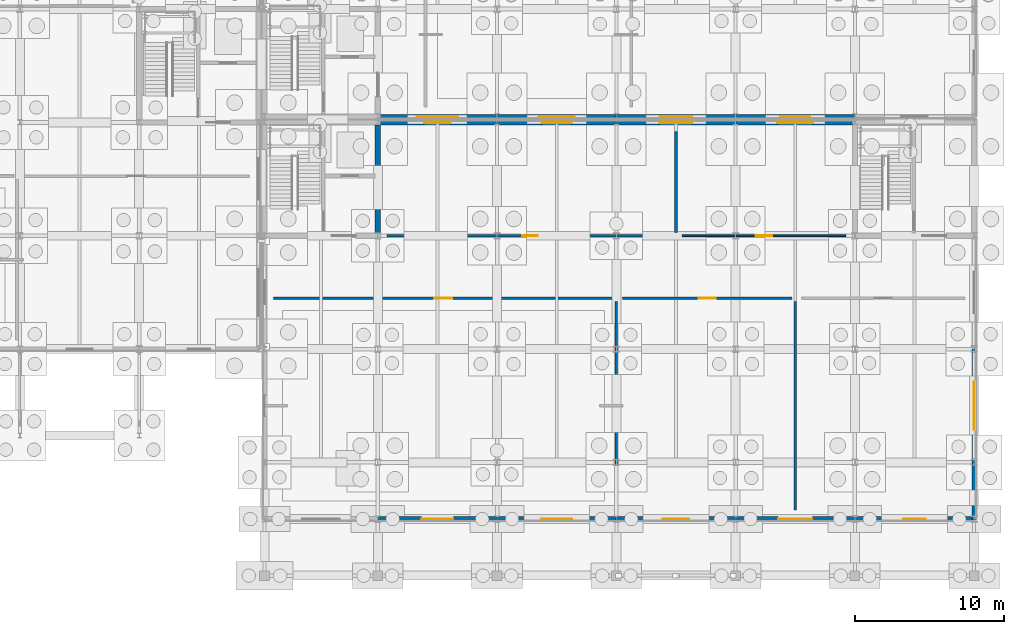
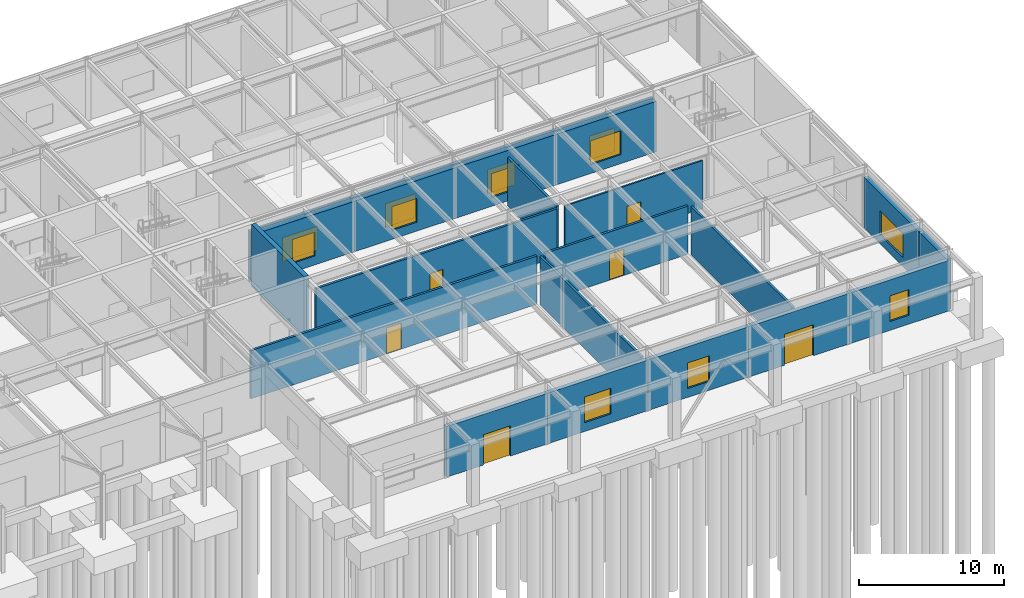
# One storey, part 47 of 62: 23 walls, 12 windows, 6 doors, 18 openings.
"""IFC4 building model written with IfcOpenShell, lengths in metres."""

from ifc_helpers import new_model, si_unit, direction, frame, frame_2d, origin, place, context, subcontext, project, spatial, rectangle, extrude, material, layer, layer_set, type_object, element, fill, save


model = new_model("IFC4")

# Units and contexts
model_context = context("Model", 3, precision=1e-05, world=origin(), true_north=direction((0.0, 1.0)))
body_context = subcontext(model_context, "Body", "Model", "MODEL_VIEW")
ifc_project = project(units=[si_unit("LENGTHUNIT", "METRE"), si_unit("AREAUNIT", "SQUARE_METRE"), si_unit("VOLUMEUNIT", "CUBIC_METRE"), si_unit("PLANEANGLEUNIT", "RADIAN"), si_unit("MASSUNIT", "GRAM", prefix="KILO")], contexts=[model_context])

# Site, building, storey
site_placement = place(None, origin())
site = spatial("IfcSite", under=ifc_project, at=site_placement, CompositionType="ELEMENT")
building_placement = place(site_placement, origin())
building = spatial("IfcBuilding", under=site, at=building_placement, Name="Zulena Civic Courthouse", CompositionType="ELEMENT")
storey_placement = place(building_placement, origin())
storey = spatial("IfcBuildingStorey", under=building, at=storey_placement, Name="L00", CompositionType="ELEMENT", Elevation=0.0)

# Wall
ifc_material_1 = material(Name="Concrete C40/50", Category="concrete")
ifc_layer_1 = layer(ifc_material_1, 0.35009765625)
ifc_layer_set_1 = layer_set([ifc_layer_1], Name="Concrete C40/50")
wall_type_1 = type_object("IfcWallType", Name="CoreShearWall_RC350", PredefinedType="SHEAR", material=ifc_layer_set_1)
wall_1_placement = place(storey_placement, frame((132.0, 22.97509765625, 0.0), z_axis=(0.0, 0.0, 1.0), x_axis=(0.0, 1.0, 0.0)))
element("IfcWall", 1, at=wall_1_placement, inside=storey, type_object=wall_type_1, Name="cwall:K1A:L00:E", PredefinedType="SHEAR", context=body_context, shape_type="SweptSolid", body=[
    extrude(rectangle(XDim=7.25, YDim=0.35009765625, at=frame_2d((3.625, 0.0))), origin(), (0.0, 0.0, 1.0), 5.18994140625),
])

# Wall, opening, window
ifc_material_2 = material(Name="Terracotta-rose architectural precast concrete C40/50", Category="masonry")
ifc_layer_2 = layer(ifc_material_2, 0.320068359375)
ifc_layer_set_2 = layer_set([ifc_layer_2], Name="Terracotta-rose architectural precast concrete C40/50")
wall_type_2 = type_object("IfcWallType", Name="ExtWall_TerraPrecast_320", PredefinedType="STANDARD", material=ifc_layer_set_2)
wall_2_placement = place(storey_placement, frame((131.97998046875, 30.39990234375, 0.0), z_axis=(0.0, 0.0, 1.0), x_axis=(1.0, 0.0, 0.0)))
wall_2 = element("IfcWall", 2, at=wall_2_placement, inside=storey, type_object=wall_type_2, Name="ewall:V1:L00:1:1", PredefinedType="STANDARD", context=body_context, shape_type="SweptSolid", body=[
    extrude(rectangle(XDim=8.0400390625, YDim=0.320068359375, at=frame_2d((4.02001953125, 0.0))), origin(), (0.0, 0.0, 1.0), 4.25),
])
opening_1_placement = place(wall_2_placement, frame((3.1201171875, 0.0, 0.75)))
opening_1 = element("IfcOpeningElement", 3, at=opening_1_placement, cuts=wall_2, Name="Opening WN03", PredefinedType="OPENING", context=body_context, shape_type="SweptSolid", body=[
    extrude(rectangle(XDim=1.800048828125, YDim=2.0, at=frame_2d((0.89990234375, 1.0))), frame((0.0, 0.169921875, 0.0), z_axis=(0.0, -1.0, 0.0), x_axis=(1.0, 0.0, 0.0)), (0.0, 0.0, 1.0), 0.340087890625),
])
ifc_material_3 = material(Name="Double-silver low-E laminated solar-control glass", Category="glass")
window_type_1 = type_object("IfcWindowType", Name="Win_1800x2000", PartitioningType="DOUBLE_PANEL_VERTICAL", PredefinedType="WINDOW", material=ifc_material_3)
window_1_placement = place(opening_1_placement, origin())
window_1 = element("IfcWindow", 4, at=window_1_placement, inside=storey, type_object=window_type_1, Name="win:V1:L00:1:1", OverallHeight=2.0, OverallWidth=1.800048828125, PartitioningType="SINGLE_PANEL", PredefinedType="WINDOW", context=body_context, shape_type="SweptSolid", body=[
    extrude(rectangle(XDim=1.800048828125, YDim=2.0, at=frame_2d((0.89990234375, 1.0))), frame((0.0, 0.030029296875, 0.0), z_axis=(0.0, -1.0, 0.0), x_axis=(1.0, 0.0, 0.0)), (0.0, 0.0, 1.0), 0.06005859375),
])
fill(opening_1, window_1)

wall_3_placement = place(storey_placement, frame((139.97998046875, 30.39990234375, 0.0), z_axis=(0.0, 0.0, 1.0), x_axis=(1.0, 0.0, 0.0)))
wall_3 = element("IfcWall", 5, at=wall_3_placement, inside=storey, type_object=wall_type_2, Name="ewall:V1:L00:1:2", PredefinedType="STANDARD", context=body_context, shape_type="SweptSolid", body=[
    extrude(rectangle(XDim=8.0400390625, YDim=0.320068359375, at=frame_2d((4.02001953125, 0.0))), origin(), (0.0, 0.0, 1.0), 4.25),
])
opening_2_placement = place(wall_3_placement, frame((3.02001953125, 0.0, 0.75)))
opening_2 = element("IfcOpeningElement", 6, at=opening_2_placement, cuts=wall_3, Name="Opening WN04", PredefinedType="OPENING", context=body_context, shape_type="SweptSolid", body=[
    extrude(rectangle(XDim=2.0, YDim=2.0, at=frame_2d((1.0, 1.0))), frame((0.0, 0.169921875, 0.0), z_axis=(0.0, -1.0, 0.0), x_axis=(1.0, 0.0, 0.0)), (0.0, 0.0, 1.0), 0.340087890625),
])
window_type_2 = type_object("IfcWindowType", Name="Win_2000x2000", PartitioningType="DOUBLE_PANEL_VERTICAL", PredefinedType="WINDOW", material=ifc_material_3)
window_2_placement = place(opening_2_placement, origin())
window_2 = element("IfcWindow", 7, at=window_2_placement, inside=storey, type_object=window_type_2, Name="win:V1:L00:1:2", OverallHeight=2.0, OverallWidth=2.0, PartitioningType="SINGLE_PANEL", PredefinedType="WINDOW", context=body_context, shape_type="SweptSolid", body=[
    extrude(rectangle(XDim=2.0, YDim=2.0, at=frame_2d((1.0, 1.0))), frame((0.0, 0.030029296875, 0.0), z_axis=(0.0, -1.0, 0.0), x_axis=(1.0, 0.0, 0.0)), (0.0, 0.0, 1.0), 0.06005859375),
])
fill(opening_2, window_2)

wall_4_placement = place(storey_placement, frame((147.97998046875, 30.39990234375, 0.0), z_axis=(0.0, 0.0, 1.0), x_axis=(1.0, 0.0, 0.0)))
wall_4 = element("IfcWall", 8, at=wall_4_placement, inside=storey, type_object=wall_type_2, Name="ewall:V1:L00:1:3", PredefinedType="STANDARD", context=body_context, shape_type="SweptSolid", body=[
    extrude(rectangle(XDim=8.0400390625, YDim=0.320068359375, at=frame_2d((4.02001953125, 0.0))), origin(), (0.0, 0.0, 1.0), 4.25),
])
opening_3_placement = place(wall_4_placement, frame((2.919921875, 0.0, 0.75)))
opening_3 = element("IfcOpeningElement", 9, at=opening_3_placement, cuts=wall_4, Name="Opening WN05", PredefinedType="OPENING", context=body_context, shape_type="SweptSolid", body=[
    extrude(rectangle(XDim=2.199951171875, YDim=2.0, at=frame_2d((1.10009765625, 1.0))), frame((0.0, 0.169921875, 0.0), z_axis=(0.0, -1.0, 0.0), x_axis=(1.0, 0.0, 0.0)), (0.0, 0.0, 1.0), 0.340087890625),
])
window_type_3 = type_object("IfcWindowType", Name="Win_2200x2000", PartitioningType="DOUBLE_PANEL_VERTICAL", PredefinedType="WINDOW", material=ifc_material_3)
window_3_placement = place(opening_3_placement, origin())
window_3 = element("IfcWindow", 10, at=window_3_placement, inside=storey, type_object=window_type_3, Name="win:V1:L00:1:3", OverallHeight=2.0, OverallWidth=2.199951171875, PartitioningType="SINGLE_PANEL", PredefinedType="WINDOW", context=body_context, shape_type="SweptSolid", body=[
    extrude(rectangle(XDim=2.199951171875, YDim=2.0, at=frame_2d((1.10009765625, 1.0))), frame((0.0, 0.030029296875, 0.0), z_axis=(0.0, -1.0, 0.0), x_axis=(1.0, 0.0, 0.0)), (0.0, 0.0, 1.0), 0.06005859375),
])
fill(opening_3, window_3)

wall_5_placement = place(storey_placement, frame((155.97998046875, 30.39990234375, 0.0), z_axis=(0.0, 0.0, 1.0), x_axis=(1.0, 0.0, 0.0)))
wall_5 = element("IfcWall", 11, at=wall_5_placement, inside=storey, type_object=wall_type_2, Name="ewall:V1:L00:1:4", PredefinedType="STANDARD", context=body_context, shape_type="SweptSolid", body=[
    extrude(rectangle(XDim=8.0400390625, YDim=0.320068359375, at=frame_2d((4.02001953125, 0.0))), origin(), (0.0, 0.0, 1.0), 4.25),
])
opening_4_placement = place(wall_5_placement, frame((2.820068359375, 0.0, 0.75)))
opening_4 = element("IfcOpeningElement", 12, at=opening_4_placement, cuts=wall_5, Name="Opening WN06", PredefinedType="OPENING", context=body_context, shape_type="SweptSolid", body=[
    extrude(rectangle(XDim=2.39990234375, YDim=2.0, at=frame_2d((1.199951171875, 1.0))), frame((0.0, 0.169921875, 0.0), z_axis=(0.0, -1.0, 0.0), x_axis=(1.0, 0.0, 0.0)), (0.0, 0.0, 1.0), 0.340087890625),
])
window_type_4 = type_object("IfcWindowType", Name="Win_2400x2000", PartitioningType="DOUBLE_PANEL_VERTICAL", PredefinedType="WINDOW", material=ifc_material_3)
window_4_placement = place(opening_4_placement, origin())
window_4 = element("IfcWindow", 13, at=window_4_placement, inside=storey, type_object=window_type_4, Name="win:V1:L00:1:4", OverallHeight=2.0, OverallWidth=2.39990234375, PartitioningType="SINGLE_PANEL", PredefinedType="WINDOW", context=body_context, shape_type="SweptSolid", body=[
    extrude(rectangle(XDim=2.39990234375, YDim=2.0, at=frame_2d((1.199951171875, 1.0))), frame((0.0, 0.030029296875, 0.0), z_axis=(0.0, -1.0, 0.0), x_axis=(1.0, 0.0, 0.0)), (0.0, 0.0, 1.0), 0.06005859375),
])
fill(opening_4, window_4)

wall_6_placement = place(storey_placement, frame((172.0, 15.219970703125, 0.0), z_axis=(0.0, 0.0, 1.0), x_axis=(0.0, -1.0, 0.0)))
wall_6 = element("IfcWall", 14, at=wall_6_placement, inside=storey, type_object=wall_type_2, Name="ewall:V1:L00:2:2", PredefinedType="STANDARD", context=body_context, shape_type="SweptSolid", body=[
    extrude(rectangle(XDim=7.639892578125, YDim=0.320068359375, at=frame_2d((3.81982421875, 0.0))), origin(), (0.0, 0.0, 1.0), 4.25),
])
opening_5_placement = place(wall_6_placement, frame((2.219970703125, 0.0, 0.75)))
opening_5 = element("IfcOpeningElement", 15, at=opening_5_placement, cuts=wall_6, Name="Opening WN08", PredefinedType="OPENING", context=body_context, shape_type="SweptSolid", body=[
    extrude(rectangle(XDim=3.199951171875, YDim=2.0, at=frame_2d((1.60009765625, 1.0))), frame((0.0, 0.169921875, 0.0), z_axis=(0.0, -1.0, 0.0), x_axis=(1.0, 0.0, 0.0)), (0.0, 0.0, 1.0), 0.340087890625),
])
window_type_5 = type_object("IfcWindowType", Name="Win_3200x2000", PartitioningType="DOUBLE_PANEL_VERTICAL", PredefinedType="WINDOW", material=ifc_material_3)
window_5_placement = place(opening_5_placement, origin())
window_5 = element("IfcWindow", 16, at=window_5_placement, inside=storey, type_object=window_type_5, Name="win:V1:L00:2:2", OverallHeight=2.0, OverallWidth=3.199951171875, PartitioningType="SINGLE_PANEL", PredefinedType="WINDOW", context=body_context, shape_type="SweptSolid", body=[
    extrude(rectangle(XDim=3.199951171875, YDim=2.0, at=frame_2d((1.60009765625, 1.0))), frame((0.0, 0.030029296875, 0.0), z_axis=(0.0, -1.0, 0.0), x_axis=(1.0, 0.0, 0.0)), (0.0, 0.0, 1.0), 0.06005859375),
])
fill(opening_5, window_5)

# Wall
wall_7_placement = place(storey_placement, frame((172.0, 7.6201171875, 0.0), z_axis=(0.0, 0.0, 1.0), x_axis=(0.0, -1.0, 0.0)))
element("IfcWall", 17, at=wall_7_placement, inside=storey, type_object=wall_type_2, Name="ewall:V1:L00:2:3", PredefinedType="STANDARD", context=body_context, shape_type="SweptSolid", body=[
    extrude(rectangle(XDim=3.840087890625, YDim=0.320068359375, at=frame_2d((1.919921875, 0.0))), origin(), (0.0, 0.0, 1.0), 4.25),
])

# Wall, opening, window
wall_8_placement = place(storey_placement, frame((172.02001953125, 3.800048828125, 0.0), z_axis=(0.0, 0.0, 1.0), x_axis=(-1.0, 0.0, 0.0)))
wall_8 = element("IfcWall", 18, at=wall_8_placement, inside=storey, type_object=wall_type_2, Name="ewall:V1:L00:3:0", PredefinedType="STANDARD", context=body_context, shape_type="SweptSolid", body=[
    extrude(rectangle(XDim=8.0400390625, YDim=0.320068359375, at=frame_2d((4.02001953125, 0.0))), origin(), (0.0, 0.0, 1.0), 4.25),
])
opening_6_placement = place(wall_8_placement, frame((3.27001953125, 0.0, 0.75)))
opening_6 = element("IfcOpeningElement", 19, at=opening_6_placement, cuts=wall_8, Name="Opening WN09", PredefinedType="OPENING", context=body_context, shape_type="SweptSolid", body=[
    extrude(rectangle(XDim=1.5, YDim=2.14990234375, at=frame_2d((0.75, 1.074951171875))), frame((0.0, 0.169921875, 0.0), z_axis=(0.0, -1.0, 0.0), x_axis=(1.0, 0.0, 0.0)), (0.0, 0.0, 1.0), 0.340087890625),
])
window_type_6 = type_object("IfcWindowType", Name="Win_1500x2150", PartitioningType="SINGLE_PANEL", PredefinedType="WINDOW", material=ifc_material_3)
window_6_placement = place(opening_6_placement, origin())
window_6 = element("IfcWindow", 20, at=window_6_placement, inside=storey, type_object=window_type_6, Name="win:V1:L00:3:0", OverallHeight=2.14990234375, OverallWidth=1.5, PartitioningType="SINGLE_PANEL", PredefinedType="WINDOW", context=body_context, shape_type="SweptSolid", body=[
    extrude(rectangle(XDim=1.5, YDim=2.14990234375, at=frame_2d((0.75, 1.074951171875))), frame((0.0, 0.030029296875, 0.0), z_axis=(0.0, -1.0, 0.0), x_axis=(1.0, 0.0, 0.0)), (0.0, 0.0, 1.0), 0.06005859375),
])
fill(opening_6, window_6)

# Wall, opening, door
wall_9_placement = place(storey_placement, frame((164.02001953125, 3.800048828125, 0.0), z_axis=(0.0, 0.0, 1.0), x_axis=(-1.0, 0.0, 0.0)))
wall_9 = element("IfcWall", 21, at=wall_9_placement, inside=storey, type_object=wall_type_2, Name="ewall:V1:L00:3:1", PredefinedType="STANDARD", context=body_context, shape_type="SweptSolid", body=[
    extrude(rectangle(XDim=8.0400390625, YDim=0.320068359375, at=frame_2d((4.02001953125, 0.0))), origin(), (0.0, 0.0, 1.0), 4.25),
])
opening_7_placement = place(wall_9_placement, frame((2.8701171875, 0.0, 0.0)))
opening_7 = element("IfcOpeningElement", 22, at=opening_7_placement, cuts=wall_9, Name="Opening ED01", PredefinedType="OPENING", context=body_context, shape_type="SweptSolid", body=[
    extrude(rectangle(XDim=2.300048828125, YDim=2.60009765625, at=frame_2d((1.14990234375, 1.300048828125))), frame((0.0, 0.169921875, 0.0), z_axis=(0.0, -1.0, 0.0), x_axis=(1.0, 0.0, 0.0)), (0.0, 0.0, 1.0), 0.340087890625),
])
ifc_material_4 = material(Name="Galvanised architectural steel ASTM A653 Grade 50", Category="steel")
door_type_1 = type_object("IfcDoorType", Name="ExtDoor_MainDouble_2300x2600", OperationType="DOUBLE_DOOR_SINGLE_SWING", PredefinedType="DOOR", material=ifc_material_4)
door_1_placement = place(opening_7_placement, origin())
door_1 = element("IfcDoor", 23, at=door_1_placement, inside=storey, type_object=door_type_1, Name="door:ext:V1:L00:3:1", OperationType="DOUBLE_DOOR_SINGLE_SWING", OverallHeight=2.60009765625, OverallWidth=2.300048828125, PredefinedType="DOOR", context=body_context, shape_type="SweptSolid", body=[
    extrude(rectangle(XDim=2.300048828125, YDim=2.60009765625, at=frame_2d((1.14990234375, 1.300048828125))), frame((0.0, 0.02490234375, 0.0), z_axis=(0.0, -1.0, 0.0), x_axis=(1.0, 0.0, 0.0)), (0.0, 0.0, 1.0), 0.050048828125),
])
fill(opening_7, door_1)

# Wall, opening, window
wall_10_placement = place(storey_placement, frame((156.02001953125, 3.800048828125, 0.0), z_axis=(0.0, 0.0, 1.0), x_axis=(-1.0, 0.0, 0.0)))
wall_10 = element("IfcWall", 24, at=wall_10_placement, inside=storey, type_object=wall_type_2, Name="ewall:V1:L00:3:2", PredefinedType="STANDARD", context=body_context, shape_type="SweptSolid", body=[
    extrude(rectangle(XDim=8.0400390625, YDim=0.320068359375, at=frame_2d((4.02001953125, 0.0))), origin(), (0.0, 0.0, 1.0), 4.25),
])
opening_8_placement = place(wall_10_placement, frame((3.14501953125, 0.0, 0.75)))
opening_8 = element("IfcOpeningElement", 25, at=opening_8_placement, cuts=wall_10, Name="Opening WN10", PredefinedType="OPENING", context=body_context, shape_type="SweptSolid", body=[
    extrude(rectangle(XDim=1.75, YDim=2.14990234375, at=frame_2d((0.875, 1.074951171875))), frame((0.0, 0.169921875, 0.0), z_axis=(0.0, -1.0, 0.0), x_axis=(1.0, 0.0, 0.0)), (0.0, 0.0, 1.0), 0.340087890625),
])
window_type_7 = type_object("IfcWindowType", Name="Win_1750x2150", PartitioningType="SINGLE_PANEL", PredefinedType="WINDOW", material=ifc_material_3)
window_7_placement = place(opening_8_placement, origin())
window_7 = element("IfcWindow", 26, at=window_7_placement, inside=storey, type_object=window_type_7, Name="win:V1:L00:3:2", OverallHeight=2.14990234375, OverallWidth=1.75, PartitioningType="SINGLE_PANEL", PredefinedType="WINDOW", context=body_context, shape_type="SweptSolid", body=[
    extrude(rectangle(XDim=1.75, YDim=2.14990234375, at=frame_2d((0.875, 1.074951171875))), frame((0.0, 0.030029296875, 0.0), z_axis=(0.0, -1.0, 0.0), x_axis=(1.0, 0.0, 0.0)), (0.0, 0.0, 1.0), 0.06005859375),
])
fill(opening_8, window_7)

wall_11_placement = place(storey_placement, frame((148.02001953125, 3.800048828125, 0.0), z_axis=(0.0, 0.0, 1.0), x_axis=(-1.0, 0.0, 0.0)))
wall_11 = element("IfcWall", 27, at=wall_11_placement, inside=storey, type_object=wall_type_2, Name="ewall:V1:L00:3:3", PredefinedType="STANDARD", context=body_context, shape_type="SweptSolid", body=[
    extrude(rectangle(XDim=8.0400390625, YDim=0.320068359375, at=frame_2d((4.02001953125, 0.0))), origin(), (0.0, 0.0, 1.0), 4.25),
])
opening_9_placement = place(wall_11_placement, frame((2.969970703125, 0.0, 0.75)))
opening_9 = element("IfcOpeningElement", 28, at=opening_9_placement, cuts=wall_11, Name="Opening WN11", PredefinedType="OPENING", context=body_context, shape_type="SweptSolid", body=[
    extrude(rectangle(XDim=2.10009765625, YDim=2.14990234375, at=frame_2d((1.050048828125, 1.074951171875))), frame((0.0, 0.169921875, 0.0), z_axis=(0.0, -1.0, 0.0), x_axis=(1.0, 0.0, 0.0)), (0.0, 0.0, 1.0), 0.340087890625),
])
window_type_8 = type_object("IfcWindowType", Name="Win_2100x2150", PartitioningType="DOUBLE_PANEL_VERTICAL", PredefinedType="WINDOW", material=ifc_material_3)
window_8_placement = place(opening_9_placement, origin())
window_8 = element("IfcWindow", 29, at=window_8_placement, inside=storey, type_object=window_type_8, Name="win:V1:L00:3:3", OverallHeight=2.14990234375, OverallWidth=2.10009765625, PartitioningType="SINGLE_PANEL", PredefinedType="WINDOW", context=body_context, shape_type="SweptSolid", body=[
    extrude(rectangle(XDim=2.10009765625, YDim=2.14990234375, at=frame_2d((1.050048828125, 1.074951171875))), frame((0.0, 0.030029296875, 0.0), z_axis=(0.0, -1.0, 0.0), x_axis=(1.0, 0.0, 0.0)), (0.0, 0.0, 1.0), 0.06005859375),
])
fill(opening_9, window_8)

# Wall, opening, door
wall_12_placement = place(storey_placement, frame((140.02001953125, 3.800048828125, 0.0), z_axis=(0.0, 0.0, 1.0), x_axis=(-1.0, 0.0, 0.0)))
wall_12 = element("IfcWall", 30, at=wall_12_placement, inside=storey, type_object=wall_type_2, Name="ewall:V1:L00:3:4", PredefinedType="STANDARD", context=body_context, shape_type="SweptSolid", body=[
    extrude(rectangle(XDim=8.0400390625, YDim=0.320068359375, at=frame_2d((4.02001953125, 0.0))), origin(), (0.0, 0.0, 1.0), 4.25),
])
opening_10_placement = place(wall_12_placement, frame((2.945068359375, 0.0, 0.0)))
opening_10 = element("IfcOpeningElement", 31, at=opening_10_placement, cuts=wall_12, Name="Opening ED02", PredefinedType="OPENING", context=body_context, shape_type="SweptSolid", body=[
    extrude(rectangle(XDim=2.14990234375, YDim=2.550048828125, at=frame_2d((1.074951171875, 1.27490234375))), frame((0.0, 0.169921875, 0.0), z_axis=(0.0, -1.0, 0.0), x_axis=(1.0, 0.0, 0.0)), (0.0, 0.0, 1.0), 0.340087890625),
])
door_type_2 = type_object("IfcDoorType", Name="ExtDoor_MainDouble_2150x2550", OperationType="DOUBLE_DOOR_SINGLE_SWING", PredefinedType="DOOR", material=ifc_material_4)
door_2_placement = place(opening_10_placement, origin())
door_2 = element("IfcDoor", 32, at=door_2_placement, inside=storey, type_object=door_type_2, Name="door:ext:V1:L00:3:4", OperationType="DOUBLE_DOOR_SINGLE_SWING", OverallHeight=2.550048828125, OverallWidth=2.14990234375, PredefinedType="DOOR", context=body_context, shape_type="SweptSolid", body=[
    extrude(rectangle(XDim=2.14990234375, YDim=2.550048828125, at=frame_2d((1.074951171875, 1.27490234375))), frame((0.0, 0.02490234375, 0.0), z_axis=(0.0, -1.0, 0.0), x_axis=(1.0, 0.0, 0.0)), (0.0, 0.0, 1.0), 0.050048828125),
])
fill(opening_10, door_2)

# Wall, opening, window
ifc_material_5 = material(Name="Travertine-cream architectural precast concrete C40/50", Category="masonry")
ifc_layer_3 = layer(ifc_material_5, 0.280029296875)
ifc_layer_set_3 = layer_set([ifc_layer_3], Name="Travertine-cream architectural precast concrete C40/50")
wall_type_3 = type_object("IfcWallType", Name="ExtWall_TravPrecast_280", PredefinedType="STANDARD", material=ifc_layer_set_3)
wall_13_placement = place(storey_placement, frame((164.02001953125, 30.800048828125, 0.0), z_axis=(0.0, 0.0, 1.0), x_axis=(-1.0, 0.0, 0.0)))
wall_13 = element("IfcWall", 33, at=wall_13_placement, inside=storey, type_object=wall_type_3, Name="ewall:V3:L00:3:1", PredefinedType="STANDARD", context=body_context, shape_type="SweptSolid", body=[
    extrude(rectangle(XDim=8.0400390625, YDim=0.280029296875, at=frame_2d((4.02001953125, 0.0))), origin(), (0.0, 0.0, 1.0), 4.25),
])
opening_11_placement = place(wall_13_placement, frame((3.02001953125, 0.0, 0.75)))
opening_11 = element("IfcOpeningElement", 34, at=opening_11_placement, cuts=wall_13, Name="Opening WN04", PredefinedType="OPENING", context=body_context, shape_type="SweptSolid", body=[
    extrude(rectangle(XDim=2.0, YDim=2.0, at=frame_2d((1.0, 1.0))), frame((0.0, 0.14990234375, 0.0), z_axis=(0.0, -1.0, 0.0), x_axis=(1.0, 0.0, 0.0)), (0.0, 0.0, 1.0), 0.300048828125),
])
window_9_placement = place(opening_11_placement, origin())
window_9 = element("IfcWindow", 35, at=window_9_placement, inside=storey, type_object=window_type_2, Name="win:V3:L00:3:1", OverallHeight=2.0, OverallWidth=2.0, PartitioningType="SINGLE_PANEL", PredefinedType="WINDOW", context=body_context, shape_type="SweptSolid", body=[
    extrude(rectangle(XDim=2.0, YDim=2.0, at=frame_2d((1.0, 1.0))), frame((0.0, 0.030029296875, 0.0), z_axis=(0.0, -1.0, 0.0), x_axis=(1.0, 0.0, 0.0)), (0.0, 0.0, 1.0), 0.06005859375),
])
fill(opening_11, window_9)

wall_14_placement = place(storey_placement, frame((156.02001953125, 30.800048828125, 0.0), z_axis=(0.0, 0.0, 1.0), x_axis=(-1.0, 0.0, 0.0)))
wall_14 = element("IfcWall", 36, at=wall_14_placement, inside=storey, type_object=wall_type_3, Name="ewall:V3:L00:3:2", PredefinedType="STANDARD", context=body_context, shape_type="SweptSolid", body=[
    extrude(rectangle(XDim=8.0400390625, YDim=0.280029296875, at=frame_2d((4.02001953125, 0.0))), origin(), (0.0, 0.0, 1.0), 4.25),
])
opening_12_placement = place(wall_14_placement, frame((2.919921875, 0.0, 0.75)))
opening_12 = element("IfcOpeningElement", 37, at=opening_12_placement, cuts=wall_14, Name="Opening WN05", PredefinedType="OPENING", context=body_context, shape_type="SweptSolid", body=[
    extrude(rectangle(XDim=2.199951171875, YDim=2.0, at=frame_2d((1.10009765625, 1.0))), frame((0.0, 0.14990234375, 0.0), z_axis=(0.0, -1.0, 0.0), x_axis=(1.0, 0.0, 0.0)), (0.0, 0.0, 1.0), 0.300048828125),
])
window_10_placement = place(opening_12_placement, origin())
window_10 = element("IfcWindow", 38, at=window_10_placement, inside=storey, type_object=window_type_3, Name="win:V3:L00:3:2", OverallHeight=2.0, OverallWidth=2.199951171875, PartitioningType="SINGLE_PANEL", PredefinedType="WINDOW", context=body_context, shape_type="SweptSolid", body=[
    extrude(rectangle(XDim=2.199951171875, YDim=2.0, at=frame_2d((1.10009765625, 1.0))), frame((0.0, 0.030029296875, 0.0), z_axis=(0.0, -1.0, 0.0), x_axis=(1.0, 0.0, 0.0)), (0.0, 0.0, 1.0), 0.06005859375),
])
fill(opening_12, window_10)

wall_15_placement = place(storey_placement, frame((148.02001953125, 30.800048828125, 0.0), z_axis=(0.0, 0.0, 1.0), x_axis=(-1.0, 0.0, 0.0)))
wall_15 = element("IfcWall", 39, at=wall_15_placement, inside=storey, type_object=wall_type_3, Name="ewall:V3:L00:3:3", PredefinedType="STANDARD", context=body_context, shape_type="SweptSolid", body=[
    extrude(rectangle(XDim=8.0400390625, YDim=0.280029296875, at=frame_2d((4.02001953125, 0.0))), origin(), (0.0, 0.0, 1.0), 4.25),
])
opening_13_placement = place(wall_15_placement, frame((2.820068359375, 0.0, 0.75)))
opening_13 = element("IfcOpeningElement", 40, at=opening_13_placement, cuts=wall_15, Name="Opening WN06", PredefinedType="OPENING", context=body_context, shape_type="SweptSolid", body=[
    extrude(rectangle(XDim=2.39990234375, YDim=2.0, at=frame_2d((1.199951171875, 1.0))), frame((0.0, 0.14990234375, 0.0), z_axis=(0.0, -1.0, 0.0), x_axis=(1.0, 0.0, 0.0)), (0.0, 0.0, 1.0), 0.300048828125),
])
window_11_placement = place(opening_13_placement, origin())
window_11 = element("IfcWindow", 41, at=window_11_placement, inside=storey, type_object=window_type_4, Name="win:V3:L00:3:3", OverallHeight=2.0, OverallWidth=2.39990234375, PartitioningType="SINGLE_PANEL", PredefinedType="WINDOW", context=body_context, shape_type="SweptSolid", body=[
    extrude(rectangle(XDim=2.39990234375, YDim=2.0, at=frame_2d((1.199951171875, 1.0))), frame((0.0, 0.030029296875, 0.0), z_axis=(0.0, -1.0, 0.0), x_axis=(1.0, 0.0, 0.0)), (0.0, 0.0, 1.0), 0.06005859375),
])
fill(opening_13, window_11)

wall_16_placement = place(storey_placement, frame((140.02001953125, 30.800048828125, 0.0), z_axis=(0.0, 0.0, 1.0), x_axis=(-1.0, 0.0, 0.0)))
wall_16 = element("IfcWall", 42, at=wall_16_placement, inside=storey, type_object=wall_type_3, Name="ewall:V3:L00:3:4", PredefinedType="STANDARD", context=body_context, shape_type="SweptSolid", body=[
    extrude(rectangle(XDim=8.0400390625, YDim=0.280029296875, at=frame_2d((4.02001953125, 0.0))), origin(), (0.0, 0.0, 1.0), 4.25),
])
opening_14_placement = place(wall_16_placement, frame((2.6201171875, 0.0, 0.75)))
opening_14 = element("IfcOpeningElement", 43, at=opening_14_placement, cuts=wall_16, Name="Opening WN07", PredefinedType="OPENING", context=body_context, shape_type="SweptSolid", body=[
    extrude(rectangle(XDim=2.800048828125, YDim=2.0, at=frame_2d((1.39990234375, 1.0))), frame((0.0, 0.14990234375, 0.0), z_axis=(0.0, -1.0, 0.0), x_axis=(1.0, 0.0, 0.0)), (0.0, 0.0, 1.0), 0.300048828125),
])
window_type_9 = type_object("IfcWindowType", Name="Win_2800x2000", PartitioningType="DOUBLE_PANEL_VERTICAL", PredefinedType="WINDOW", material=ifc_material_3)
window_12_placement = place(opening_14_placement, origin())
window_12 = element("IfcWindow", 44, at=window_12_placement, inside=storey, type_object=window_type_9, Name="win:V3:L00:3:4", OverallHeight=2.0, OverallWidth=2.800048828125, PartitioningType="SINGLE_PANEL", PredefinedType="WINDOW", context=body_context, shape_type="SweptSolid", body=[
    extrude(rectangle(XDim=2.800048828125, YDim=2.0, at=frame_2d((1.39990234375, 1.0))), frame((0.0, 0.030029296875, 0.0), z_axis=(0.0, -1.0, 0.0), x_axis=(1.0, 0.0, 0.0)), (0.0, 0.0, 1.0), 0.06005859375),
])
fill(opening_14, window_12)

# Wall, opening, door
ifc_material_6 = material(Name="Acoustic fire-rated gypsum board assembly", Category="masonry")
ifc_layer_4 = layer(ifc_material_6, 0.177978515625)
ifc_layer_set_4 = layer_set([ifc_layer_4], Name="Acoustic fire-rated gypsum board assembly")
wall_type_4 = type_object("IfcWallType", Name="PartWall_Corridor_178", PredefinedType="PARTITIONING", material=ifc_layer_set_4)
wall_17_placement = place(storey_placement, frame((125.02001953125, 18.60009765625, 0.0), z_axis=(0.0, 0.0, 1.0), x_axis=(1.0, 0.0, 0.0)))
wall_17 = element("IfcWall", 45, at=wall_17_placement, inside=storey, type_object=wall_type_4, Name="pwall:L00:209:0", PredefinedType="PARTITIONING", context=body_context, shape_type="SweptSolid", body=[
    extrude(rectangle(XDim=22.760009765625, YDim=0.177978515625, at=frame_2d((11.3798828125, 0.0))), origin(), (0.0, 0.0, 1.0), 4.050048828125),
])
opening_15_placement = place(wall_17_placement, frame((10.780029296875, 0.0, 0.0)))
opening_15 = element("IfcOpeningElement", 46, at=opening_15_placement, cuts=wall_17, Name="Opening ID07", PredefinedType="OPENING", context=body_context, shape_type="SweptSolid", body=[
    extrude(rectangle(XDim=1.199951171875, YDim=2.199951171875, at=frame_2d((0.60009765625, 1.10009765625))), frame((0.0, 0.098876953125, 0.0), z_axis=(0.0, -1.0, 0.0), x_axis=(1.0, 0.0, 0.0)), (0.0, 0.0, 1.0), 0.197998046875),
])
ifc_material_7 = material(Name="Fire-rated galvanised steel ASTM A653 Grade 50", Category="steel")
door_type_3 = type_object("IfcDoorType", Name="IntDoor_Stair_1200x2200", OperationType="NOTDEFINED", PredefinedType="DOOR", material=ifc_material_7)
door_3_placement = place(opening_15_placement, origin())
door_3 = element("IfcDoor", 47, at=door_3_placement, inside=storey, type_object=door_type_3, Name="door:rm:L00:209", OperationType="SINGLE_SWING_LEFT", OverallHeight=2.199951171875, OverallWidth=1.199951171875, PredefinedType="DOOR", context=body_context, shape_type="SweptSolid", body=[
    extrude(rectangle(XDim=1.199951171875, YDim=2.199951171875, at=frame_2d((0.60009765625, 1.10009765625))), frame((0.0, 0.02490234375, 0.0), z_axis=(0.0, -1.0, 0.0), x_axis=(1.0, 0.0, 0.0)), (0.0, 0.0, 1.0), 0.050048828125),
])
fill(opening_15, door_3)

# Wall
wall_18_placement = place(storey_placement, frame((148.0, 4.419921875, 0.0), z_axis=(0.0, 0.0, 1.0), x_axis=(0.0, 1.0, 0.0)))
element("IfcWall", 48, at=wall_18_placement, inside=storey, type_object=wall_type_4, Name="pwall:L00:209:1", PredefinedType="PARTITIONING", context=body_context, shape_type="SweptSolid", body=[
    extrude(rectangle(XDim=13.9599609375, YDim=0.177978515625, at=frame_2d((6.97998046875, 0.0))), origin(), (0.0, 0.0, 1.0), 4.050048828125),
])

# Wall, opening, door
wall_19_placement = place(storey_placement, frame((148.419921875, 18.60009765625, 0.0), z_axis=(0.0, 0.0, 1.0), x_axis=(1.0, 0.0, 0.0)))
wall_19 = element("IfcWall", 49, at=wall_19_placement, inside=storey, type_object=wall_type_4, Name="pwall:L00:210:0", PredefinedType="PARTITIONING", context=body_context, shape_type="SweptSolid", body=[
    extrude(rectangle(XDim=11.360107421875, YDim=0.177978515625, at=frame_2d((5.68017578125, 0.0))), origin(), (0.0, 0.0, 1.0), 4.050048828125),
])
opening_16_placement = place(wall_19_placement, frame((5.10498046875, 0.0, 0.0)))
opening_16 = element("IfcOpeningElement", 50, at=opening_16_placement, cuts=wall_19, Name="Opening ID08", PredefinedType="OPENING", context=body_context, shape_type="SweptSolid", body=[
    extrude(rectangle(XDim=1.14990234375, YDim=2.199951171875, at=frame_2d((0.574951171875, 1.10009765625))), frame((0.0, 0.098876953125, 0.0), z_axis=(0.0, -1.0, 0.0), x_axis=(1.0, 0.0, 0.0)), (0.0, 0.0, 1.0), 0.197998046875),
])
door_type_4 = type_object("IfcDoorType", Name="IntDoor_Stair_1150x2200", OperationType="NOTDEFINED", PredefinedType="DOOR", material=ifc_material_7)
door_4_placement = place(opening_16_placement, origin())
door_4 = element("IfcDoor", 51, at=door_4_placement, inside=storey, type_object=door_type_4, Name="door:rm:L00:210", OperationType="SINGLE_SWING_RIGHT", OverallHeight=2.199951171875, OverallWidth=1.14990234375, PredefinedType="DOOR", context=body_context, shape_type="SweptSolid", body=[
    extrude(rectangle(XDim=1.14990234375, YDim=2.199951171875, at=frame_2d((0.574951171875, 1.10009765625))), frame((0.0, 0.02490234375, 0.0), z_axis=(0.0, -1.0, 0.0), x_axis=(1.0, 0.0, 0.0)), (0.0, 0.0, 1.0), 0.050048828125),
])
fill(opening_16, door_4)

# Wall
wall_20_placement = place(storey_placement, frame((160.0, 4.419921875, 0.0), z_axis=(0.0, 0.0, 1.0), x_axis=(0.0, 1.0, 0.0)))
element("IfcWall", 52, at=wall_20_placement, inside=storey, type_object=wall_type_4, Name="pwall:L00:210:1", PredefinedType="PARTITIONING", context=body_context, shape_type="SweptSolid", body=[
    extrude(rectangle(XDim=13.9599609375, YDim=0.177978515625, at=frame_2d((6.97998046875, 0.0))), origin(), (0.0, 0.0, 1.0), 4.050048828125),
])

# Wall, opening, door
wall_21_placement = place(storey_placement, frame((132.6201171875, 22.800048828125, 0.0), z_axis=(0.0, 0.0, 1.0), x_axis=(1.0, 0.0, 0.0)))
wall_21 = element("IfcWall", 53, at=wall_21_placement, inside=storey, type_object=wall_type_4, Name="pwall:L00:212:0", PredefinedType="PARTITIONING", context=body_context, shape_type="SweptSolid", body=[
    extrude(rectangle(XDim=19.159912109375, YDim=0.177978515625, at=frame_2d((9.580078125, 0.0))), origin(), (0.0, 0.0, 1.0), 4.050048828125),
])
opening_17_placement = place(wall_21_placement, frame((9.054931640625, 0.0, 0.0)))
opening_17 = element("IfcOpeningElement", 54, at=opening_17_placement, cuts=wall_21, Name="Opening ID10", PredefinedType="OPENING", context=body_context, shape_type="SweptSolid", body=[
    extrude(rectangle(XDim=1.050048828125, YDim=2.14990234375, at=frame_2d((0.52490234375, 1.074951171875))), frame((0.0, 0.098876953125, 0.0), z_axis=(0.0, -1.0, 0.0), x_axis=(1.0, 0.0, 0.0)), (0.0, 0.0, 1.0), 0.197998046875),
])
door_type_5 = type_object("IfcDoorType", Name="IntDoor_Holding_1050x2150", OperationType="NOTDEFINED", PredefinedType="DOOR", material=ifc_material_7)
door_5_placement = place(opening_17_placement, origin())
door_5 = element("IfcDoor", 55, at=door_5_placement, inside=storey, type_object=door_type_5, Name="door:rm:L00:212", OperationType="SINGLE_SWING_RIGHT", OverallHeight=2.14990234375, OverallWidth=1.050048828125, PredefinedType="DOOR", context=body_context, shape_type="SweptSolid", body=[
    extrude(rectangle(XDim=1.050048828125, YDim=2.14990234375, at=frame_2d((0.52490234375, 1.074951171875))), frame((0.0, 0.02490234375, 0.0), z_axis=(0.0, -1.0, 0.0), x_axis=(1.0, 0.0, 0.0)), (0.0, 0.0, 1.0), 0.050048828125),
])
fill(opening_17, door_5)

# Wall
wall_22_placement = place(storey_placement, frame((152.0, 23.02001953125, 0.0), z_axis=(0.0, 0.0, 1.0), x_axis=(0.0, 1.0, 0.0)))
element("IfcWall", 56, at=wall_22_placement, inside=storey, type_object=wall_type_4, Name="pwall:L00:212:1", PredefinedType="PARTITIONING", context=body_context, shape_type="SweptSolid", body=[
    extrude(rectangle(XDim=6.760009765625, YDim=0.177978515625, at=frame_2d((3.3798828125, 0.0))), origin(), (0.0, 0.0, 1.0), 4.050048828125),
])

# Wall, opening, door
ifc_material_8 = material(Name="Insulated blockwork masonry ASTM C90", Category="masonry")
ifc_layer_5 = layer(ifc_material_8, 0.1279296875)
ifc_layer_set_5 = layer_set([ifc_layer_5], Name="Insulated blockwork masonry ASTM C90")
wall_type_5 = type_object("IfcWallType", Name="PartWall_WetRoom_128", PredefinedType="PARTITIONING", material=ifc_layer_set_5)
wall_23_placement = place(storey_placement, frame((152.419921875, 22.800048828125, 0.0), z_axis=(0.0, 0.0, 1.0), x_axis=(1.0, 0.0, 0.0)))
wall_23 = element("IfcWall", 57, at=wall_23_placement, inside=storey, type_object=wall_type_5, Name="pwall:L00:213:0", PredefinedType="PARTITIONING", context=body_context, shape_type="SweptSolid", body=[
    extrude(rectangle(XDim=10.9599609375, YDim=0.1279296875, at=frame_2d((5.47998046875, 0.0))), origin(), (0.0, 0.0, 1.0), 4.050048828125),
])
opening_18_placement = place(wall_23_placement, frame((4.929931640625, 0.0, 0.0)))
opening_18 = element("IfcOpeningElement", 58, at=opening_18_placement, cuts=wall_23, Name="Opening ID11", PredefinedType="OPENING", context=body_context, shape_type="SweptSolid", body=[
    extrude(rectangle(XDim=1.10009765625, YDim=2.300048828125, at=frame_2d((0.550048828125, 1.14990234375))), frame((0.0, 0.073974609375, 0.0), z_axis=(0.0, -1.0, 0.0), x_axis=(1.0, 0.0, 0.0)), (0.0, 0.0, 1.0), 0.14794921875),
])
ifc_material_9 = material(Name="Solid-core acoustic hardwood timber", Category="wood")
door_type_6 = type_object("IfcDoorType", Name="IntDoor_Jury_1100x2300", OperationType="NOTDEFINED", PredefinedType="DOOR", material=ifc_material_9)
door_6_placement = place(opening_18_placement, origin())
door_6 = element("IfcDoor", 59, at=door_6_placement, inside=storey, type_object=door_type_6, Name="door:rm:L00:213", OperationType="SINGLE_SWING_LEFT", OverallHeight=2.300048828125, OverallWidth=1.10009765625, PredefinedType="DOOR", context=body_context, shape_type="SweptSolid", body=[
    extrude(rectangle(XDim=1.10009765625, YDim=2.300048828125, at=frame_2d((0.550048828125, 1.14990234375))), frame((0.0, 0.02490234375, 0.0), z_axis=(0.0, -1.0, 0.0), x_axis=(1.0, 0.0, 0.0)), (0.0, 0.0, 1.0), 0.050048828125),
])
fill(opening_18, door_6)

save(model, "model.ifc")
